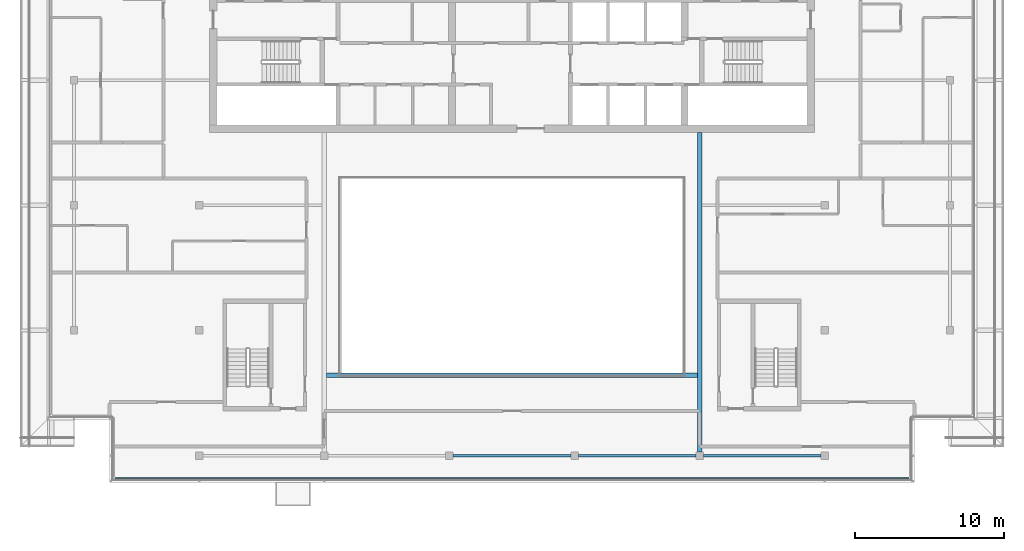
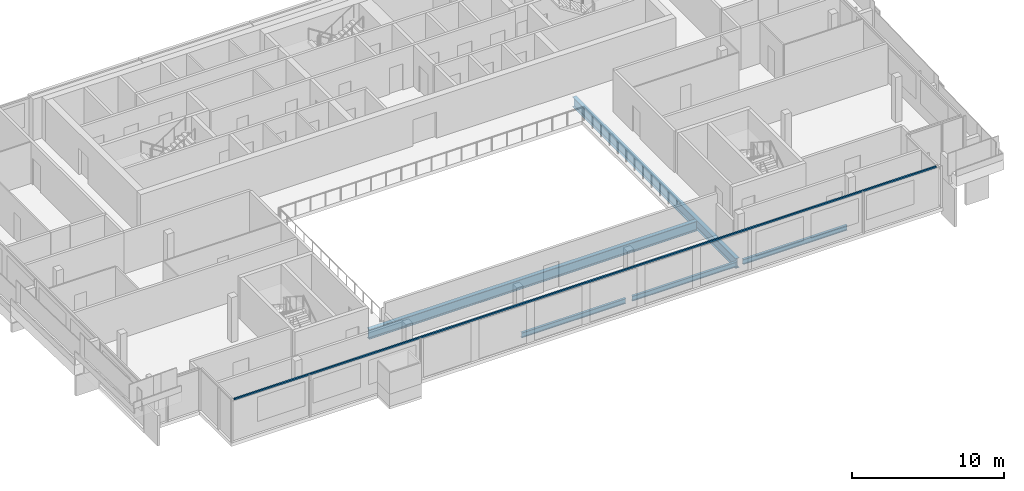
# One storey, part 4 of 19: 5 beams, 1 member, 1 element without a shape of its own.
"""IFC4 building model written with IfcOpenShell, lengths in metres."""

import ifcopenshell
import ifcopenshell.guid

model = None  # the IFC model being written
_history = None  # IfcOwnerHistory: only IFC2X3 demands one
_inside = {}  # id of a spatial element -> (the spatial element, [elements in it])
_under = {}  # id of a project, library or spatial element -> (it, [spatial elements below it])
_declared = {}  # id of a project -> (the project, [libraries it declares])
_typed = {}  # id of a type object -> (the type object, [elements of that type])
_made_of = {}  # id of a material, layer set ... -> (it, [elements and type objects made of it])


def new_model(schema):
    """Start an empty IFC model of exactly this schema.

    Asked for "IFC4X3", IfcOpenShell would pick the latest addendum, in which some entities
    have other attributes; the version numbers below select the first issue.
    IFC2X3 requires an IfcOwnerHistory on every rooted entity: one is made here for all.
    """
    global model, _history
    if schema == "IFC4X3":
        model = ifcopenshell.file(schema_version=(4, 3, 0, 0))
    else:
        model = ifcopenshell.file(schema=schema)
    _inside.clear()
    _under.clear()
    _declared.clear()
    _typed.clear()
    _made_of.clear()
    _history = None
    if model.schema == "IFC2X3":
        org = make("IfcOrganization", Name="unknown")
        user = make(
            "IfcPersonAndOrganization",
            ThePerson=make("IfcPerson", FamilyName="unknown"),
            TheOrganization=org,
        )
        app = make(
            "IfcApplication",
            ApplicationDeveloper=org,
            Version="unknown",
            ApplicationFullName="unknown",
            ApplicationIdentifier="unknown",
        )
        _history = make(
            "IfcOwnerHistory",
            OwningUser=user,
            OwningApplication=app,
            ChangeAction="ADDED",
            CreationDate=0,
        )
    return model


def make(cls, **values):
    """One entity of the class cls with the attributes given. An attribute that is None is left unset."""
    return model.create_entity(
        cls, **{name: value for name, value in values.items() if value is not None}
    )


def rooted(cls, **values):
    """An entity with a GlobalId (a new one), such as an element, a storey or a relation."""
    return make(cls, GlobalId=ifcopenshell.guid.new(), OwnerHistory=_history, **values)


def si_unit(unit_type, name, prefix=None):
    """IfcSIUnit, for example si_unit("LENGTHUNIT", "METRE", prefix="MILLI")."""
    return make("IfcSIUnit", UnitType=unit_type, Prefix=prefix, Name=name)


def assignment(units):
    """IfcUnitAssignment: the units of a project."""
    return None if units is None else make("IfcUnitAssignment", Units=units)


def point(xyz):
    """IfcCartesianPoint."""
    return None if xyz is None else make("IfcCartesianPoint", Coordinates=xyz)


def direction(xyz):
    """IfcDirection."""
    return None if xyz is None else make("IfcDirection", DirectionRatios=xyz)


def frame(location, z_axis=None, x_axis=None):
    """IfcAxis2Placement3D, a coordinate frame: its origin and axes. An axis left out is left unset."""
    return make(
        "IfcAxis2Placement3D",
        Location=point(location),
        Axis=direction(z_axis),
        RefDirection=direction(x_axis),
    )


def frame_2d(location, x_axis=None):
    """IfcAxis2Placement2D, a coordinate frame in the plane: its origin and x axis."""
    return make(
        "IfcAxis2Placement2D", Location=point(location), RefDirection=direction(x_axis)
    )


def origin():
    """The frame at (0, 0, 0) with its axes left unset."""
    return frame((0.0, 0.0, 0.0))


def origin_2d():
    """The frame at (0, 0) in the plane with its x axis left unset."""
    return frame_2d((0.0, 0.0))


def place(relative_to, where):
    """IfcLocalPlacement: puts the frame where relative to a parent placement (None: the world)."""
    return make(
        "IfcLocalPlacement", PlacementRelTo=relative_to, RelativePlacement=where
    )


def context(
    kind, dimensions, precision=None, world=None, true_north=None, identifier=None
):
    """IfcGeometricRepresentationContext, for example the 3D "Model" context."""
    return make(
        "IfcGeometricRepresentationContext",
        ContextIdentifier=identifier,
        ContextType=kind,
        CoordinateSpaceDimension=dimensions,
        Precision=precision,
        WorldCoordinateSystem=world,
        TrueNorth=true_north,
    )


def subcontext(parent, identifier, kind, view, scale=None):
    """IfcGeometricRepresentationSubContext, for example "Body" below "Model"."""
    return make(
        "IfcGeometricRepresentationSubContext",
        ContextIdentifier=identifier,
        ContextType=kind,
        ParentContext=parent,
        TargetScale=scale,
        TargetView=view,
    )


def project(units=None, contexts=None):
    """IfcProject with its units and contexts."""
    return rooted(
        "IfcProject",
        Name="project",
        RepresentationContexts=contexts,
        UnitsInContext=assignment(units),
    )


def spatial(cls, under=None, at=None, **own):
    """A site, building, storey or space (cls), placed at a placement, below another one or the project."""
    s = rooted(cls, ObjectPlacement=at, **own)
    if under is not None:
        _under.setdefault(under.id(), (under, []))[1].append(s)
    return s


def profile(cls, at=None, kind="AREA", **sizes):
    """A parametric profile (cls). Its sizes go by their IFC names, for example OverallWidth=200.0."""
    return make(cls, ProfileType=kind, Position=at, **sizes)


def rectangle(**sizes):
    """IfcRectangleProfileDef."""
    return profile("IfcRectangleProfileDef", **sizes)


def i_section(**sizes):
    """IfcIShapeProfileDef."""
    return profile("IfcIShapeProfileDef", **sizes)


def extrude(swept, where, along, depth):
    """IfcExtrudedAreaSolid: the profile swept, set in the frame where, extruded along a direction by depth."""
    return make(
        "IfcExtrudedAreaSolid",
        SweptArea=swept,
        Position=where,
        ExtrudedDirection=direction(along),
        Depth=depth,
    )


def shape(context_of_items, identifier, shape_type, items):
    """IfcShapeRepresentation: the items that make up one representation, for example the "Body"."""
    return make(
        "IfcShapeRepresentation",
        ContextOfItems=context_of_items,
        RepresentationIdentifier=identifier,
        RepresentationType=shape_type,
        Items=items,
    )


def material(Name=None, Category=None):
    """IfcMaterial."""
    return make("IfcMaterial", Name=Name, Category=Category)


def material_profile(
    of_material, cross_section, Name=None, Category=None, Priority=None
):
    """IfcMaterialProfile: a cross section and its material."""
    return make(
        "IfcMaterialProfile",
        Name=Name,
        Material=of_material,
        Profile=cross_section,
        Priority=Priority,
        Category=Category,
    )


def profile_set(profiles, Name=None, composite=None):
    """IfcMaterialProfileSet."""
    return make(
        "IfcMaterialProfileSet",
        Name=Name,
        MaterialProfiles=profiles,
        CompositeProfile=composite,
    )


def made_of(thing, what):
    """Note that an element or type object is made of a material, layer set ...; save() writes the relation."""
    if what is not None:
        _made_of.setdefault(what.id(), (what, []))[1].append(thing)
    return thing


def type_object(cls, material=None, **own):
    """A type object (cls), such as IfcWallType, which elements share."""
    return made_of(rooted(cls, **own), material)


def element(
    cls,
    number,
    at=None,
    inside=None,
    cuts=None,
    type_object=None,
    material=None,
    context=None,
    identifier="Body",
    shape_type=None,
    held_by="IfcProductDefinitionShape",
    body=None,
    shapes=None,
    **own,
):
    """One element of the class cls, such as IfcWall. Its Tag is "e" and its number.

    at: its placement. inside: the storey or other place that contains it. cuts: it is an
    opening in that element (IfcRelVoidsElement). A single representation is given by context,
    identifier, shape_type and body (its items); several are given by shapes. held_by: the class
    of the entity that holds the representations. save() writes the other relations.
    """
    e = rooted(cls, Tag="e%d" % number, ObjectPlacement=at, **own)
    if body is not None:
        shapes = [shape(context, identifier, shape_type, body)]
    if shapes is not None:
        e.Representation = make(held_by, Representations=shapes)
    if inside is not None:
        _inside.setdefault(inside.id(), (inside, []))[1].append(e)
    if cuts is not None:
        rooted(
            "IfcRelVoidsElement", RelatingBuildingElement=cuts, RelatedOpeningElement=e
        )
    if type_object is not None:
        _typed.setdefault(type_object.id(), (type_object, []))[1].append(e)
    return made_of(e, material)


def aggregate(whole, parts):
    """IfcRelAggregates: a whole, such as a stair, and the parts it consists of."""
    return rooted("IfcRelAggregates", RelatingObject=whole, RelatedObjects=parts)


def save(model, path):
    """Write the relations noted so far, then the file.

    IfcRelAggregates (storeys below a building ...), IfcRelContainedInSpatialStructure (elements
    in a storey), IfcRelDefinesByType, IfcRelAssociatesMaterial and IfcRelDeclares: one each for
    every whole, place, type object, material and project.
    """
    for whole, parts in _under.values():
        aggregate(whole, parts)
    for where, things in _inside.values():
        rooted(
            "IfcRelContainedInSpatialStructure",
            RelatedElements=things,
            RelatingStructure=where,
        )
    for kind, things in _typed.values():
        rooted("IfcRelDefinesByType", RelatedObjects=things, RelatingType=kind)
    for what, things in _made_of.values():
        rooted("IfcRelAssociatesMaterial", RelatedObjects=things, RelatingMaterial=what)
    for by, libraries in _declared.values():
        rooted("IfcRelDeclares", RelatingContext=by, RelatedDefinitions=libraries)
    model.write(path)


model = new_model("IFC4")

# Units and contexts
model_context = context("Model", 3, precision=1e-05, world=origin(), true_north=direction((0.0, 1.0)))
body_context = subcontext(model_context, "Body", "Model", "MODEL_VIEW")
ifc_project = project(units=[si_unit("LENGTHUNIT", "METRE"), si_unit("AREAUNIT", "SQUARE_METRE"), si_unit("VOLUMEUNIT", "CUBIC_METRE"), si_unit("PLANEANGLEUNIT", "RADIAN"), si_unit("MASSUNIT", "GRAM", prefix="KILO")], contexts=[model_context])

# Site, building, storey
site_placement = place(None, origin())
site = spatial("IfcSite", under=ifc_project, at=site_placement, CompositionType="ELEMENT")
building_placement = place(site_placement, origin())
building = spatial("IfcBuilding", under=site, at=building_placement, Name="Saffron Gate Tower", CompositionType="ELEMENT")
storey_placement = place(building_placement, frame((0.0, 0.0, 292.35009765625)))
storey = spatial("IfcBuildingStorey", under=building, at=storey_placement, Name="L71", CompositionType="ELEMENT", Elevation=292.35009765625)

# Beams
ifc_material_1 = material(Name="Structural steel S355", Category="steel")
ifc_material_profile_1 = material_profile(ifc_material_1, i_section(OverallWidth=0.300048828125, OverallDepth=0.7900390625, WebThickness=0.014892578125, FlangeThickness=0.028076171875, FilletRadius=0.030029296875, at=origin_2d()))
ifc_profile_set_1 = profile_set([ifc_material_profile_1], Name="Structural steel S355")
beam_type_1 = type_object("IfcBeamType", Name="B18 HEA 800", PredefinedType="BEAM", material=ifc_profile_set_1)
beam_1_placement = place(storey_placement, frame((100.199951171875, 40.449951171875, -0.675048828125), z_axis=(0.0, 1.0, 0.0), x_axis=(-1.0, 0.0, 0.0)))
element("IfcBeam", 1, at=beam_1_placement, inside=storey, type_object=beam_type_1, Name="B18 ATRIUM GIRDER", PredefinedType="BEAM", context=body_context, shape_type="SweptSolid", body=[
    extrude(i_section(OverallWidth=0.300048828125, OverallDepth=0.7900390625, WebThickness=0.014892578125, FlangeThickness=0.028076171875, FilletRadius=0.030029296875, at=origin_2d()), origin(), (0.0, 0.0, 1.0), 21.449951171875),
])
beam_2_placement = place(storey_placement, frame((75.14990234375, 45.60009765625, -0.675048828125), z_axis=(1.0, 0.0, 0.0), x_axis=(0.0, 1.0, 0.0)))
element("IfcBeam", 2, at=beam_2_placement, inside=storey, type_object=beam_type_1, Name="B18 ATRIUM GIRDER", PredefinedType="BEAM", context=body_context, shape_type="SweptSolid", body=[
    extrude(i_section(OverallWidth=0.300048828125, OverallDepth=0.7900390625, WebThickness=0.014892578125, FlangeThickness=0.028076171875, FilletRadius=0.030029296875, at=origin_2d()), origin(), (0.0, 0.0, 1.0), 24.900146484375),
])
ifc_material_profile_2 = material_profile(ifc_material_1, i_section(OverallWidth=0.179931640625, OverallDepth=0.39990234375, WebThickness=0.008544921875, FlangeThickness=0.013427734375, FilletRadius=0.02099609375, at=origin_2d()))
ifc_profile_set_2 = profile_set([ifc_material_profile_2], Name="Structural steel S355")
beam_type_2 = type_object("IfcBeamType", Name="B5 IPE 400", PredefinedType="SPANDREL", material=ifc_profile_set_2)
beam_3_placement = place(storey_placement, frame((83.64990234375, 40.199951171875, -0.47998046875), z_axis=(1.0, 0.0, 0.0), x_axis=(0.0, 1.0, 0.0)))
element("IfcBeam", 3, at=beam_3_placement, inside=storey, type_object=beam_type_2, Name="B5 SPANDREL BEAM", PredefinedType="SPANDREL", context=body_context, shape_type="SweptSolid", body=[
    extrude(i_section(OverallWidth=0.179931640625, OverallDepth=0.39990234375, WebThickness=0.008544921875, FlangeThickness=0.013427734375, FilletRadius=0.02099609375, at=origin_2d()), origin(), (0.0, 0.0, 1.0), 7.900146484375),
])
beam_4_placement = place(storey_placement, frame((92.050048828125, 40.199951171875, -0.47998046875), z_axis=(1.0, 0.0, 0.0), x_axis=(0.0, 1.0, 0.0)))
element("IfcBeam", 4, at=beam_4_placement, inside=storey, type_object=beam_type_2, Name="B5 SPANDREL BEAM", PredefinedType="SPANDREL", context=body_context, shape_type="SweptSolid", body=[
    extrude(i_section(OverallWidth=0.179931640625, OverallDepth=0.39990234375, WebThickness=0.008544921875, FlangeThickness=0.013427734375, FilletRadius=0.02099609375, at=origin_2d()), origin(), (0.0, 0.0, 1.0), 7.89990234375),
])
beam_5_placement = place(storey_placement, frame((100.449951171875, 40.199951171875, -0.47998046875), z_axis=(1.0, 0.0, 0.0), x_axis=(0.0, 1.0, 0.0)))
element("IfcBeam", 5, at=beam_5_placement, inside=storey, type_object=beam_type_2, Name="B5 SPANDREL BEAM", PredefinedType="SPANDREL", context=body_context, shape_type="SweptSolid", body=[
    extrude(i_section(OverallWidth=0.179931640625, OverallDepth=0.39990234375, WebThickness=0.008544921875, FlangeThickness=0.013427734375, FilletRadius=0.02099609375, at=origin_2d()), origin(), (0.0, 0.0, 1.0), 7.900146484375),
])

# Curtain wall, member
ifc_material_2 = material(Name="Aluminium, bronze anodised", Category="aluminium")
curtain_wall_type = type_object("IfcCurtainWallType", Name="CWS1 curtain wall front facade", PredefinedType="NOTDEFINED", material=ifc_material_2)
curtain_wall_placement = place(storey_placement, origin())
curtain_wall = element("IfcCurtainWall", 6, at=curtain_wall_placement, inside=storey, type_object=curtain_wall_type, Name="CWS1 run 1", PredefinedType="NOTDEFINED")
ifc_material_profile_3 = material_profile(ifc_material_2, rectangle(XDim=0.1201171875, YDim=0.1201171875, at=origin_2d()))
ifc_profile_set_3 = profile_set([ifc_material_profile_3], Name="Aluminium, bronze anodised")
member_type = type_object("IfcMemberType", Name="CWS1 head transom", PredefinedType="USERDEFINED", material=ifc_profile_set_3)
member_placement = place(storey_placement, frame((60.968017578125, 38.64794921875, 3.260009765625), z_axis=(1.0, 0.0, 0.0), x_axis=(0.0, 1.0, 0.0)))
member = element("IfcMember", 7, at=member_placement, type_object=member_type, Name="CWS1 head transom", ObjectType="TRANSOM", PredefinedType="USERDEFINED", context=body_context, shape_type="SweptSolid", body=[
    extrude(rectangle(XDim=0.1201171875, YDim=0.1201171875, at=origin_2d()), origin(), (0.0, 0.0, 1.0), 53.263916015625),
])
aggregate(curtain_wall, [member])

save(model, "model.ifc")
